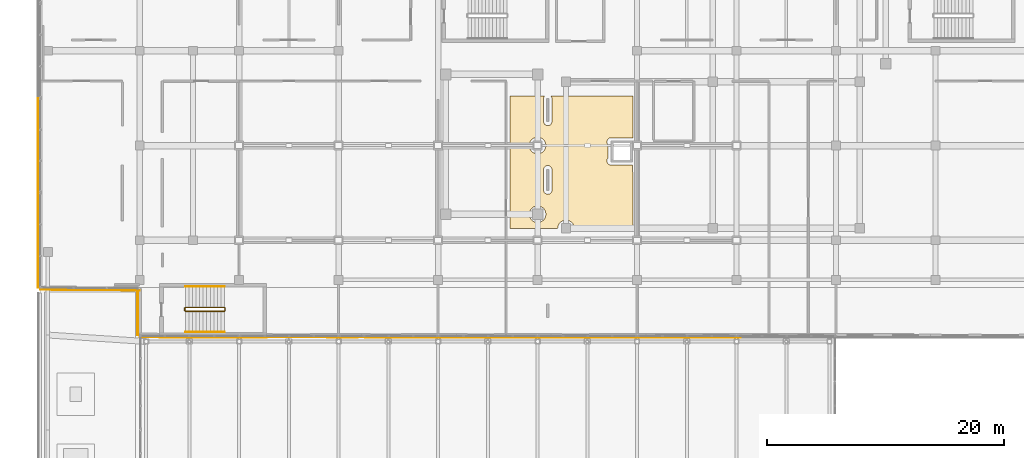
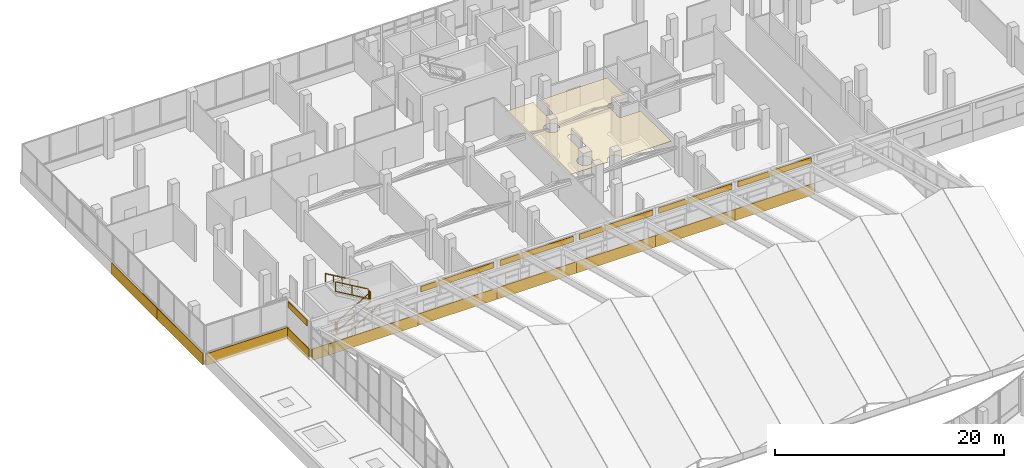
# One storey, part 179 of 184: 12 coverings, 6 railings, 6 shading devices.
"""IFC4 building model written with IfcOpenShell, lengths in metres."""

from ifc_helpers import new_model, si_unit, direction, frame, origin, origin_2d, place, context, subcontext, project, spatial, polyline, rectangle, circle, outline, extrude, material, layer, layer_set, type_object, element, save


model = new_model("IFC4")

# Units and contexts
model_context = context("Model", 3, precision=1e-05, world=origin(), true_north=direction((0.0, 1.0)))
body_context = subcontext(model_context, "Body", "Model", "MODEL_VIEW")
ifc_project = project(units=[si_unit("LENGTHUNIT", "METRE"), si_unit("AREAUNIT", "SQUARE_METRE"), si_unit("VOLUMEUNIT", "CUBIC_METRE"), si_unit("PLANEANGLEUNIT", "RADIAN"), si_unit("MASSUNIT", "GRAM", prefix="KILO")], contexts=[model_context])

# Site, building, storey
site_placement = place(None, origin())
site = spatial("IfcSite", under=ifc_project, at=site_placement, CompositionType="ELEMENT")
building_placement = place(site_placement, origin())
building = spatial("IfcBuilding", under=site, at=building_placement, Name="Selatvlak General Hospital", CompositionType="ELEMENT")
storey_placement = place(building_placement, frame((0.0, 0.0, 15.0)))
storey = spatial("IfcBuildingStorey", under=building, at=storey_placement, Name="L03", CompositionType="ELEMENT", Elevation=15.0)

# Coverings
ifc_material_1 = material(Name="Acoustic mineral fibre ceiling tile")
ifc_layer_1 = layer(ifc_material_1, 0.02490234375, Name="Acoustic mineral fibre ceiling tile")
ifc_layer_set_1 = layer_set([ifc_layer_1], Name="Acoustic mineral fibre ceiling tile")
covering_type_1 = type_object("IfcCoveringType", Name="COV-CEIL1", PredefinedType="CEILING", material=ifc_layer_set_1)
covering_1_placement = place(storey_placement, frame((0.0, 0.0, 2.9951171875)))
element("IfcCovering", 1, at=covering_1_placement, inside=storey, type_object=covering_type_1, Name="L03 clinical acoustic ceiling 007", PredefinedType="CEILING", context=body_context, shape_type="SweptSolid", body=[
    extrude(outline(polyline([(57.0009765625, 104.199951171875), (56.968994140625, 104.158935546875), (56.950927734375, 104.1298828125), (56.93701171875, 104.09912109375), (56.925048828125, 104.06689453125), (56.9169921875, 104.032958984375), (56.912109375, 103.9990234375), (56.909912109375, 103.965087890625), (56.909912109375, 102.034912109375), (56.912109375, 102.0009765625), (56.9169921875, 101.967041015625), (56.925048828125, 101.93310546875), (56.93701171875, 101.90087890625), (56.950927734375, 101.8701171875), (56.968994140625, 101.841064453125), (56.989013671875, 101.81298828125), (57.012939453125, 101.7880859375), (57.0380859375, 101.763916015625), (57.06591796875, 101.743896484375), (57.094970703125, 101.72607421875), (57.1259765625, 101.7119140625), (57.157958984375, 101.699951171875), (57.19189453125, 101.69189453125), (57.22607421875, 101.68701171875), (57.260009765625, 101.68505859375), (57.2939453125, 101.68701171875), (57.327880859375, 101.69189453125), (57.362060546875, 101.699951171875), (57.39404296875, 101.7119140625), (57.425048828125, 101.72607421875), (57.4541015625, 101.743896484375), (57.48193359375, 101.763916015625), (57.507080078125, 101.7880859375), (57.531005859375, 101.81298828125), (57.551025390625, 101.841064453125), (57.569091796875, 101.8701171875), (57.5830078125, 101.90087890625), (57.594970703125, 101.93310546875), (57.60302734375, 101.967041015625), (57.60791015625, 102.0009765625), (57.610107421875, 102.034912109375), (57.610107421875, 103.965087890625), (57.60791015625, 103.9990234375), (57.60302734375, 104.032958984375), (57.594970703125, 104.06689453125), (57.5830078125, 104.09912109375), (57.569091796875, 104.1298828125), (57.551025390625, 104.158935546875), (57.531005859375, 104.18701171875), (64.449951171875, 104.199951171875), (64.449951171875, 100.64599609375), (64.39990234375, 100.64990234375), (62.60009765625, 100.64990234375), (62.56591796875, 100.64794921875), (62.531982421875, 100.64306640625), (62.498046875, 100.635009765625), (62.466064453125, 100.623046875), (62.43505859375, 100.60888671875), (62.406005859375, 100.591064453125), (62.3779296875, 100.571044921875), (62.35302734375, 100.547119140625), (62.3291015625, 100.52197265625), (62.30908203125, 100.493896484375), (62.291015625, 100.465087890625), (62.277099609375, 100.43408203125), (62.264892578125, 100.402099609375), (62.257080078125, 100.367919921875), (62.251953125, 100.333984375), (62.25, 100.300048828125), (62.251953125, 100.26611328125), (62.257080078125, 100.23193359375), (62.264892578125, 100.197998046875), (62.277099609375, 100.166015625), (62.291015625, 100.135009765625), (62.30908203125, 100.10595703125), (62.3291015625, 100.077880859375), (62.35009765625, 100.054931640625), (62.35009765625, 98.945068359375), (62.3291015625, 98.922119140625), (62.30908203125, 98.89404296875), (62.291015625, 98.864990234375), (62.277099609375, 98.833984375), (62.264892578125, 98.802001953125), (62.257080078125, 98.76806640625), (62.251953125, 98.73388671875), (62.25, 98.699951171875), (62.251953125, 98.666015625), (62.257080078125, 98.632080078125), (62.264892578125, 98.597900390625), (62.277099609375, 98.56591796875), (62.291015625, 98.534912109375), (62.30908203125, 98.506103515625), (62.3291015625, 98.47802734375), (62.35302734375, 98.452880859375), (62.3779296875, 98.428955078125), (62.406005859375, 98.408935546875), (62.43505859375, 98.39111328125), (62.466064453125, 98.376953125), (62.498046875, 98.364990234375), (62.531982421875, 98.35693359375), (62.56591796875, 98.35205078125), (62.60009765625, 98.35009765625), (64.39990234375, 98.35009765625), (64.43408203125, 98.35205078125), (64.449951171875, 93.0), (59.5, 93.0), (59.4970703125, 93.069091796875), (59.487060546875, 93.136962890625), (59.469970703125, 93.202880859375), (59.447021484375, 93.26806640625), (59.4169921875, 93.330078125), (59.382080078125, 93.388916015625), (59.341064453125, 93.444091796875), (59.294921875, 93.4951171875), (59.243896484375, 93.541015625), (59.18896484375, 93.58203125), (59.1298828125, 93.616943359375), (59.068115234375, 93.64697265625), (59.0029296875, 93.669921875), (58.93701171875, 93.68701171875), (58.868896484375, 93.697021484375), (58.800048828125, 93.699951171875), (58.73095703125, 93.697021484375), (58.6630859375, 93.68701171875), (58.596923828125, 93.669921875), (58.531982421875, 93.64697265625), (58.469970703125, 93.616943359375), (58.410888671875, 93.58203125), (58.35595703125, 93.541015625), (58.304931640625, 93.4951171875), (58.259033203125, 93.444091796875), (58.218017578125, 93.388916015625), (58.18310546875, 93.330078125), (58.153076171875, 93.26806640625), (58.1298828125, 93.202880859375), (58.113037109375, 93.136962890625), (58.10302734375, 93.069091796875), (58.10009765625, 93.0), (54.090087890625, 93.0), (54.090087890625, 104.199951171875), (57.0009765625, 104.199951171875)]), holes=[polyline([(56.89501953125, 93.705078125), (56.94091796875, 93.756103515625), (56.98193359375, 93.81103515625), (57.01708984375, 93.8701171875), (57.047119140625, 93.931884765625), (57.070068359375, 93.9970703125), (57.0869140625, 94.06298828125), (57.096923828125, 94.131103515625), (57.10009765625, 94.199951171875), (57.096923828125, 94.26904296875), (57.0869140625, 94.3369140625), (57.070068359375, 94.403076171875), (57.047119140625, 94.468017578125), (57.01708984375, 94.530029296875), (56.98193359375, 94.589111328125), (56.94091796875, 94.64404296875), (56.89501953125, 94.695068359375), (56.843994140625, 94.740966796875), (56.7890625, 94.781982421875), (56.72998046875, 94.81689453125), (56.66796875, 94.846923828125), (56.60302734375, 94.8701171875), (56.537109375, 94.886962890625), (56.468994140625, 94.89697265625), (56.39990234375, 94.89990234375), (56.3310546875, 94.89697265625), (56.262939453125, 94.886962890625), (56.197021484375, 94.8701171875), (56.132080078125, 94.846923828125), (56.070068359375, 94.81689453125), (56.010986328125, 94.781982421875), (55.9560546875, 94.740966796875), (55.905029296875, 94.695068359375), (55.85888671875, 94.64404296875), (55.818115234375, 94.589111328125), (55.782958984375, 94.530029296875), (55.7529296875, 94.468017578125), (55.72998046875, 94.403076171875), (55.712890625, 94.3369140625), (55.702880859375, 94.26904296875), (55.699951171875, 94.199951171875), (55.702880859375, 94.131103515625), (55.712890625, 94.06298828125), (55.72998046875, 93.9970703125), (55.7529296875, 93.931884765625), (55.782958984375, 93.8701171875), (55.818115234375, 93.81103515625), (55.85888671875, 93.756103515625), (55.905029296875, 93.705078125), (55.9560546875, 93.658935546875), (56.010986328125, 93.617919921875), (56.070068359375, 93.5830078125), (56.132080078125, 93.552978515625), (56.197021484375, 93.530029296875), (56.262939453125, 93.512939453125), (56.3310546875, 93.5029296875), (56.39990234375, 93.5), (56.468994140625, 93.5029296875), (56.537109375, 93.512939453125), (56.60302734375, 93.530029296875), (56.66796875, 93.552978515625), (56.72998046875, 93.5830078125), (56.7890625, 93.617919921875), (56.843994140625, 93.658935546875), (56.89501953125, 93.705078125)]), polyline([(56.89501953125, 99.5048828125), (56.94091796875, 99.555908203125), (56.98193359375, 99.611083984375), (57.01708984375, 99.669921875), (57.047119140625, 99.73193359375), (57.070068359375, 99.797119140625), (57.0869140625, 99.863037109375), (57.096923828125, 99.930908203125), (57.10009765625, 100.0), (57.096923828125, 100.069091796875), (57.0869140625, 100.136962890625), (57.070068359375, 100.202880859375), (57.047119140625, 100.26806640625), (57.01708984375, 100.330078125), (56.98193359375, 100.388916015625), (56.94091796875, 100.444091796875), (56.89501953125, 100.4951171875), (56.843994140625, 100.541015625), (56.7890625, 100.58203125), (56.72998046875, 100.616943359375), (56.66796875, 100.64697265625), (56.60302734375, 100.669921875), (56.537109375, 100.68701171875), (56.468994140625, 100.697021484375), (56.39990234375, 100.699951171875), (56.3310546875, 100.697021484375), (56.262939453125, 100.68701171875), (56.197021484375, 100.669921875), (56.132080078125, 100.64697265625), (56.070068359375, 100.616943359375), (56.010986328125, 100.58203125), (55.9560546875, 100.541015625), (55.905029296875, 100.4951171875), (55.85888671875, 100.444091796875), (55.818115234375, 100.388916015625), (55.782958984375, 100.330078125), (55.7529296875, 100.26806640625), (55.72998046875, 100.202880859375), (55.712890625, 100.136962890625), (55.702880859375, 100.069091796875), (55.699951171875, 100.0), (55.702880859375, 99.930908203125), (55.712890625, 99.863037109375), (55.72998046875, 99.797119140625), (55.7529296875, 99.73193359375), (55.782958984375, 99.669921875), (55.818115234375, 99.611083984375), (55.85888671875, 99.555908203125), (55.905029296875, 99.5048828125), (55.9560546875, 99.458984375), (56.010986328125, 99.41796875), (56.070068359375, 99.383056640625), (56.132080078125, 99.35302734375), (56.197021484375, 99.330078125), (56.262939453125, 99.31298828125), (56.3310546875, 99.302978515625), (56.39990234375, 99.300048828125), (56.468994140625, 99.302978515625), (56.537109375, 99.31298828125), (56.60302734375, 99.330078125), (56.66796875, 99.35302734375), (56.72998046875, 99.383056640625), (56.7890625, 99.41796875), (56.843994140625, 99.458984375), (56.89501953125, 99.5048828125)]), polyline([(57.0380859375, 98.236083984375), (57.012939453125, 98.2119140625), (56.989013671875, 98.18701171875), (56.968994140625, 98.158935546875), (56.950927734375, 98.1298828125), (56.93701171875, 98.09912109375), (56.925048828125, 98.06689453125), (56.9169921875, 98.032958984375), (56.912109375, 97.9990234375), (56.909912109375, 97.965087890625), (56.909912109375, 96.235107421875), (56.912109375, 96.200927734375), (56.9169921875, 96.1669921875), (56.925048828125, 96.133056640625), (56.93701171875, 96.10107421875), (56.950927734375, 96.070068359375), (56.968994140625, 96.041015625), (56.989013671875, 96.012939453125), (57.012939453125, 95.988037109375), (57.0380859375, 95.964111328125), (57.06591796875, 95.944091796875), (57.094970703125, 95.926025390625), (57.1259765625, 95.912109375), (57.157958984375, 95.89990234375), (57.19189453125, 95.89208984375), (57.22607421875, 95.886962890625), (57.260009765625, 95.885009765625), (57.2939453125, 95.886962890625), (57.327880859375, 95.89208984375), (57.362060546875, 95.89990234375), (57.39404296875, 95.912109375), (57.425048828125, 95.926025390625), (57.4541015625, 95.944091796875), (57.48193359375, 95.964111328125), (57.507080078125, 95.988037109375), (57.531005859375, 96.012939453125), (57.551025390625, 96.041015625), (57.569091796875, 96.070068359375), (57.5830078125, 96.10107421875), (57.594970703125, 96.133056640625), (57.60302734375, 96.1669921875), (57.60791015625, 96.200927734375), (57.610107421875, 96.235107421875), (57.610107421875, 97.965087890625), (57.60791015625, 97.9990234375), (57.60302734375, 98.032958984375), (57.594970703125, 98.06689453125), (57.5830078125, 98.09912109375), (57.569091796875, 98.1298828125), (57.551025390625, 98.158935546875), (57.531005859375, 98.18701171875), (57.507080078125, 98.2119140625), (57.48193359375, 98.236083984375), (57.4541015625, 98.256103515625), (57.425048828125, 98.27392578125), (57.39404296875, 98.2880859375), (57.362060546875, 98.300048828125), (57.327880859375, 98.30810546875), (57.2939453125, 98.31298828125), (57.260009765625, 98.31494140625), (57.22607421875, 98.31298828125), (57.19189453125, 98.30810546875), (57.157958984375, 98.300048828125), (57.1259765625, 98.2880859375), (57.094970703125, 98.27392578125), (57.06591796875, 98.256103515625), (57.0380859375, 98.236083984375)])]), origin(), (0.0, 0.0, 1.0), 0.02490234375),
])
ifc_material_2 = material(Name="White Bauhaus fair-faced cladding panel")
ifc_layer_2 = layer(ifc_material_2, 0.054931640625, Name="White Bauhaus fair-faced cladding panel")
ifc_layer_set_2 = layer_set([ifc_layer_2], Name="White Bauhaus fair-faced cladding panel")
covering_type_2 = type_object("IfcCoveringType", Name="COV-WHT1", PredefinedType="CLADDING", material=ifc_layer_set_2)
covering_2_placement = place(storey_placement, frame((29.0, 83.7958984375, -0.27978515625), z_axis=(0.0, 0.0, 1.0), x_axis=(-0.999999780066, 0.000663225067, 0.0)))
element("IfcCovering", 2, at=covering_2_placement, inside=storey, type_object=covering_type_2, Name="L03 Bauhaus horizontal white spandrel band 0216", PredefinedType="CLADDING", context=body_context, shape_type="SweptSolid", body=[
    extrude(rectangle(XDim=9.0400390625, YDim=0.054931640625, at=origin_2d()), origin(), (0.0, 0.0, 1.0), 1.219970703125),
])
covering_3_placement = place(storey_placement, frame((14.235107421875, 92.0, -0.27978515625), z_axis=(0.0, 0.0, 1.0), x_axis=(0.0, 1.0, 0.0)))
element("IfcCovering", 3, at=covering_3_placement, inside=storey, type_object=covering_type_2, Name="L03 Bauhaus horizontal white spandrel band 0217", PredefinedType="CLADDING", context=body_context, shape_type="SweptSolid", body=[
    extrude(rectangle(XDim=8.0, YDim=0.054931640625, at=origin_2d()), origin(), (0.0, 0.0, 1.0), 1.219970703125),
])
covering_4_placement = place(storey_placement, frame((14.235107421875, 99.9990234375, -0.27978515625), z_axis=(0.0, 0.0, 1.0), x_axis=(0.0, 1.0, 0.0)))
element("IfcCovering", 4, at=covering_4_placement, inside=storey, type_object=covering_type_2, Name="L03 Bauhaus horizontal white spandrel band 0218", PredefinedType="CLADDING", context=body_context, shape_type="SweptSolid", body=[
    extrude(rectangle(XDim=7.9990234375, YDim=0.054931640625, at=origin_2d()), origin(), (0.0, 0.0, 1.0), 1.219970703125),
])
for number, where, z_axis, x_axis, name in (
    (5, (69.555908203125, 83.803955078125, -0.27978515625), (0.0, 0.0, 1.0), (-0.999999718381, 0.000750491508, 0.0), "L03 Bauhaus horizontal white spandrel band 0262"),
    (6, (61.548095703125, 83.81005859375, -0.27978515625), (0.0, 0.0, 1.0), (-0.999999802608, 0.000628318489, 0.0), "L03 Bauhaus horizontal white spandrel band 0263"),
    (7, (53.5400390625, 83.81494140625, -0.27978515625), (0.0, 0.0, 1.0), (-0.999999802608, 0.000628318489, 0.0), "L03 Bauhaus horizontal white spandrel band 0264"),
    (8, (45.531982421875, 83.820068359375, -0.27978515625), (0.0, 0.0, 1.0), (-0.999999718381, 0.000750491508, 0.0), "L03 Bauhaus horizontal white spandrel band 0265"),
    (9, (37.52392578125, 83.825927734375, -0.27978515625), (0.0, 0.0, 1.0), (-0.999999802608, 0.000628318489, 0.0), "L03 Bauhaus horizontal white spandrel band 0266"),
):
    element("IfcCovering", number, at=place(storey_placement, frame(where, z_axis=z_axis, x_axis=x_axis)), inside=storey, type_object=covering_type_2, Name=name, PredefinedType="CLADDING", context=body_context, shape_type="SweptSolid", body=[
        extrude(rectangle(XDim=8.008056640625, YDim=0.054931640625, at=origin_2d()), origin(), (0.0, 0.0, 1.0), 1.219970703125),
    ])
covering_5_placement = place(storey_placement, frame((23.639892578125, 83.8349609375, -0.27978515625), z_axis=(0.0, 0.0, 1.0), x_axis=(-0.999999823931, 0.000593411911, 0.0)))
element("IfcCovering", 10, at=covering_5_placement, inside=storey, type_object=covering_type_2, Name="L03 Bauhaus horizontal white spandrel band 0267", PredefinedType="CLADDING", context=body_context, shape_type="SweptSolid", body=[
    extrude(rectangle(XDim=1.678955078125, YDim=0.054931640625, at=origin_2d()), origin(), (0.0, 0.0, 1.0), 1.219970703125),
])
covering_6_placement = place(storey_placement, frame((22.635986328125, 85.969970703125, -0.27978515625), z_axis=(0.0, 0.0, 1.0), x_axis=(-0.000261799385, 0.999999965731, 0.0)))
element("IfcCovering", 11, at=covering_6_placement, inside=storey, type_object=covering_type_2, Name="L03 Bauhaus horizontal white spandrel band 0268", PredefinedType="CLADDING", context=body_context, shape_type="SweptSolid", body=[
    extrude(rectangle(XDim=3.93994140625, YDim=0.054931640625, at=origin_2d()), origin(), (0.0, 0.0, 1.0), 1.219970703125),
])
covering_7_placement = place(storey_placement, frame((18.59912109375, 87.804931640625, -0.27978515625), z_axis=(0.0, 0.0, 1.0), x_axis=(-0.999974521755, 0.007138336016, 0.0)))
element("IfcCovering", 12, at=covering_7_placement, inside=storey, type_object=covering_type_2, Name="L03 Bauhaus horizontal white spandrel band 0269", PredefinedType="CLADDING", context=body_context, shape_type="SweptSolid", body=[
    extrude(rectangle(XDim=8.39990234375, YDim=0.054931640625, at=origin_2d()), origin(), (0.0, 0.0, 1.0), 1.219970703125),
])

# Railings
ifc_material_3 = material(Name="Stainless steel 316 stair guard", Category="steel")
railing_type_1 = type_object("IfcRailingType", Name="RAIL-STG", PredefinedType="GUARDRAIL", material=ifc_material_3)
railing_1_placement = place(storey_placement, frame((26.659912109375, 86.010009765625, 0.175048828125)))
element("IfcRailing", 13, at=railing_1_placement, inside=storey, type_object=railing_type_1, Name="L03 ST-07 stair guard 1", PredefinedType="GUARDRAIL", context=body_context, shape_type="SweptSolid", body=[
    extrude(rectangle(XDim=0.068115234375, YDim=0.068115234375, at=origin_2d()), frame((0.00244140625, 0.0, 1.067626953125), z_axis=(0.863776583165, 0.0, 0.503874998761), x_axis=(0.0, 1.0, 0.0)), (0.0, 0.0, 1.0), 3.814697265625),
    extrude(rectangle(XDim=0.068115234375, YDim=0.068115234375, at=origin_2d()), frame((0.00244140625, 0.0, 0.050537109375), z_axis=(0.863776583165, 0.0, 0.503874998761), x_axis=(0.0, 1.0, 0.0)), (0.0, 0.0, 1.0), 3.814697265625),
    extrude(rectangle(XDim=0.055908203125, YDim=0.055908203125, at=origin_2d()), origin(), (0.0, 0.0, 1.0), 1.029052734375),
    extrude(rectangle(XDim=0.055908203125, YDim=0.055908203125, at=origin_2d()), frame((1.64990234375, 0.0, 0.96240234375)), (0.0, 0.0, 1.0), 1.029052734375),
    extrude(rectangle(XDim=0.055908203125, YDim=0.055908203125, at=origin_2d()), frame((3.300048828125, 0.0, 1.925048828125)), (0.0, 0.0, 1.0), 1.029052734375),
])
railing_2_placement = place(storey_placement, frame((30.010009765625, 86.06005859375, 2.10009765625)))
element("IfcRailing", 14, at=railing_2_placement, inside=storey, type_object=railing_type_1, Name="L03 ST-07 stair guard 2", PredefinedType="GUARDRAIL", context=body_context, shape_type="SweptSolid", body=[
    extrude(rectangle(XDim=0.068115234375, YDim=0.068115234375, at=origin_2d()), frame((0.0, 0.0029296875, 1.06591796875), z_axis=(0.0, 1.0, 0.0), x_axis=(-1.0, 0.0, 0.0)), (0.0, 0.0, 1.0), 0.214111328125),
    extrude(rectangle(XDim=0.068115234375, YDim=0.068115234375, at=origin_2d()), frame((0.0, 0.0029296875, 0.049072265625), z_axis=(0.0, 1.0, 0.0), x_axis=(-1.0, 0.0, 0.0)), (0.0, 0.0, 1.0), 0.214111328125),
    extrude(rectangle(XDim=0.055908203125, YDim=0.055908203125, at=origin_2d()), origin(), (0.0, 0.0, 1.0), 1.029052734375),
    extrude(rectangle(XDim=0.055908203125, YDim=0.055908203125, at=origin_2d()), frame((0.0, 0.219970703125, 0.0)), (0.0, 0.0, 1.0), 1.029052734375),
])
railing_3_placement = place(storey_placement, frame((29.9599609375, 86.330078125, 2.27490234375)))
element("IfcRailing", 15, at=railing_3_placement, inside=storey, type_object=railing_type_1, Name="L03 ST-07 stair guard 3", PredefinedType="GUARDRAIL", context=body_context, shape_type="SweptSolid", body=[
    extrude(rectangle(XDim=0.068115234375, YDim=0.068115234375, at=origin_2d()), frame((-0.00244140625, 0.0, 1.067626953125), z_axis=(-0.863776583165, 0.0, 0.503874998761), x_axis=(0.0, -1.0, 0.0)), (0.0, 0.0, 1.0), 3.814697265625),
    extrude(rectangle(XDim=0.068115234375, YDim=0.068115234375, at=origin_2d()), frame((-0.00244140625, 0.0, 0.050537109375), z_axis=(-0.863776583165, 0.0, 0.503874998761), x_axis=(0.0, -1.0, 0.0)), (0.0, 0.0, 1.0), 3.814697265625),
    extrude(rectangle(XDim=0.055908203125, YDim=0.055908203125, at=origin_2d()), origin(), (0.0, 0.0, 1.0), 1.029052734375),
    extrude(rectangle(XDim=0.055908203125, YDim=0.055908203125, at=origin_2d()), frame((-1.64990234375, 0.0, 0.96240234375)), (0.0, 0.0, 1.0), 1.029052734375),
    extrude(rectangle(XDim=0.055908203125, YDim=0.055908203125, at=origin_2d()), frame((-3.300048828125, 0.0, 1.925048828125)), (0.0, 0.0, 1.0), 1.029052734375),
])
railing_4_placement = place(storey_placement, frame((26.610107421875, 86.06005859375, 0.0)))
element("IfcRailing", 16, at=railing_4_placement, inside=storey, type_object=railing_type_1, Name="L03 ST-07 stair guard 4", PredefinedType="GUARDRAIL", context=body_context, shape_type="SweptSolid", body=[
    extrude(rectangle(XDim=0.068115234375, YDim=0.068115234375, at=origin_2d()), frame((0.0, 0.0029296875, 1.06591796875), z_axis=(0.0, 1.0, 0.0), x_axis=(-1.0, 0.0, 0.0)), (0.0, 0.0, 1.0), 0.214111328125),
    extrude(rectangle(XDim=0.068115234375, YDim=0.068115234375, at=origin_2d()), frame((0.0, 0.0029296875, 0.049072265625), z_axis=(0.0, 1.0, 0.0), x_axis=(-1.0, 0.0, 0.0)), (0.0, 0.0, 1.0), 0.214111328125),
    extrude(rectangle(XDim=0.055908203125, YDim=0.055908203125, at=origin_2d()), origin(), (0.0, 0.0, 1.0), 1.029052734375),
    extrude(rectangle(XDim=0.055908203125, YDim=0.055908203125, at=origin_2d()), frame((0.0, 0.219970703125, 0.0)), (0.0, 0.0, 1.0), 1.029052734375),
])
ifc_material_4 = material(Name="Stainless steel 316 handrail", Category="steel")
railing_type_2 = type_object("IfcRailingType", Name="RAIL-STH", PredefinedType="HANDRAIL", material=ifc_material_4)
railing_5_placement = place(storey_placement, frame((26.659912109375, 84.25, 0.175048828125)))
element("IfcRailing", 17, at=railing_5_placement, inside=storey, type_object=railing_type_2, Name="L03 ST-07 stair handrail 1", PredefinedType="HANDRAIL", context=body_context, shape_type="SweptSolid", body=[
    extrude(circle(Radius=0.02392578125, at=origin_2d()), frame((0.00244140625, 0.0, 0.87744140625), z_axis=(0.863776583165, 0.0, 0.503874998761), x_axis=(0.0, 1.0, 0.0)), (0.0, 0.0, 1.0), 3.814697265625),
    extrude(circle(Radius=0.02099609375, at=origin_2d()), origin(), (0.0, 0.0, 1.0), 0.848876953125),
    extrude(circle(Radius=0.02099609375, at=origin_2d()), frame((0.824951171875, 0.0, 0.481201171875)), (0.0, 0.0, 1.0), 0.848876953125),
    extrude(circle(Radius=0.02099609375, at=origin_2d()), frame((1.64990234375, 0.0, 0.96240234375)), (0.0, 0.0, 1.0), 0.848876953125),
    extrude(circle(Radius=0.02099609375, at=origin_2d()), frame((2.47509765625, 0.0, 1.44384765625)), (0.0, 0.0, 1.0), 0.848876953125),
    extrude(circle(Radius=0.02099609375, at=origin_2d()), frame((3.300048828125, 0.0, 1.925048828125)), (0.0, 0.0, 1.0), 0.848876953125),
])
railing_6_placement = place(storey_placement, frame((29.9599609375, 88.090087890625, 2.27490234375)))
element("IfcRailing", 18, at=railing_6_placement, inside=storey, type_object=railing_type_2, Name="L03 ST-07 stair handrail 2", PredefinedType="HANDRAIL", context=body_context, shape_type="SweptSolid", body=[
    extrude(circle(Radius=0.02392578125, at=origin_2d()), frame((-0.00244140625, 0.0, 0.87744140625), z_axis=(-0.863776583165, 0.0, 0.503874998761), x_axis=(0.0, -1.0, 0.0)), (0.0, 0.0, 1.0), 3.814697265625),
    extrude(circle(Radius=0.02099609375, at=origin_2d()), origin(), (0.0, 0.0, 1.0), 0.848876953125),
    extrude(circle(Radius=0.02099609375, at=origin_2d()), frame((-0.824951171875, 0.0, 0.481201171875)), (0.0, 0.0, 1.0), 0.848876953125),
    extrude(circle(Radius=0.02099609375, at=origin_2d()), frame((-1.64990234375, 0.0, 0.96240234375)), (0.0, 0.0, 1.0), 0.848876953125),
    extrude(circle(Radius=0.02099609375, at=origin_2d()), frame((-2.47509765625, 0.0, 1.44384765625)), (0.0, 0.0, 1.0), 0.848876953125),
    extrude(circle(Radius=0.02099609375, at=origin_2d()), frame((-3.300048828125, 0.0, 1.925048828125)), (0.0, 0.0, 1.0), 0.848876953125),
])

# Shading devices
ifc_material_5 = material(Name="Anodised aluminium acoustic louvre", Category="aluminium")
ifc_layer_3 = layer(ifc_material_5, 0.050048828125, Name="Anodised aluminium acoustic louvre", Category="aluminium")
ifc_layer_set_3 = layer_set([ifc_layer_3], Name="Anodised aluminium acoustic louvre")
shading_device_type = type_object("IfcShadingDeviceType", Name="SHD-JAL1", PredefinedType="JALOUSIE", material=ifc_layer_set_3)
for number, where, z_axis, x_axis, name in (
    (19, (69.555908203125, 83.7939453125, 3.195068359375), (0.0, 0.0, 1.0), (-0.999999718381, 0.000750491508, 0.0), "L03 interstitial acoustic louvre 394"),
    (20, (61.548095703125, 83.800048828125, 3.195068359375), (0.0, 0.0, 1.0), (-0.999999802608, 0.000628318489, 0.0), "L03 interstitial acoustic louvre 395"),
    (21, (53.5400390625, 83.804931640625, 3.195068359375), (0.0, 0.0, 1.0), (-0.999999802608, 0.000628318489, 0.0), "L03 interstitial acoustic louvre 396"),
    (22, (45.531982421875, 83.81005859375, 3.195068359375), (0.0, 0.0, 1.0), (-0.999999718381, 0.000750491508, 0.0), "L03 interstitial acoustic louvre 397"),
    (23, (37.52392578125, 83.81591796875, 3.195068359375), (0.0, 0.0, 1.0), (-0.999999802608, 0.000628318489, 0.0), "L03 interstitial acoustic louvre 398"),
):
    element("IfcShadingDevice", number, at=place(storey_placement, frame(where, z_axis=z_axis, x_axis=x_axis)), inside=storey, type_object=shading_device_type, Name=name, PredefinedType="JALOUSIE", context=body_context, shape_type="SweptSolid", body=[
        extrude(rectangle(XDim=7.407958984375, YDim=0.050048828125, at=origin_2d()), origin(), (0.0, 0.0, 1.0), 0.60009765625),
    ])
shading_device_placement = place(storey_placement, frame((22.6259765625, 85.969970703125, 3.195068359375), z_axis=(0.0, 0.0, 1.0), x_axis=(-0.000261799385, 0.999999965731, 0.0)))
element("IfcShadingDevice", 24, at=shading_device_placement, inside=storey, type_object=shading_device_type, Name="L03 interstitial acoustic louvre 400", PredefinedType="JALOUSIE", context=body_context, shape_type="SweptSolid", body=[
    extrude(rectangle(XDim=3.340087890625, YDim=0.050048828125, at=origin_2d()), origin(), (0.0, 0.0, 1.0), 0.60009765625),
])

save(model, "model.ifc")
